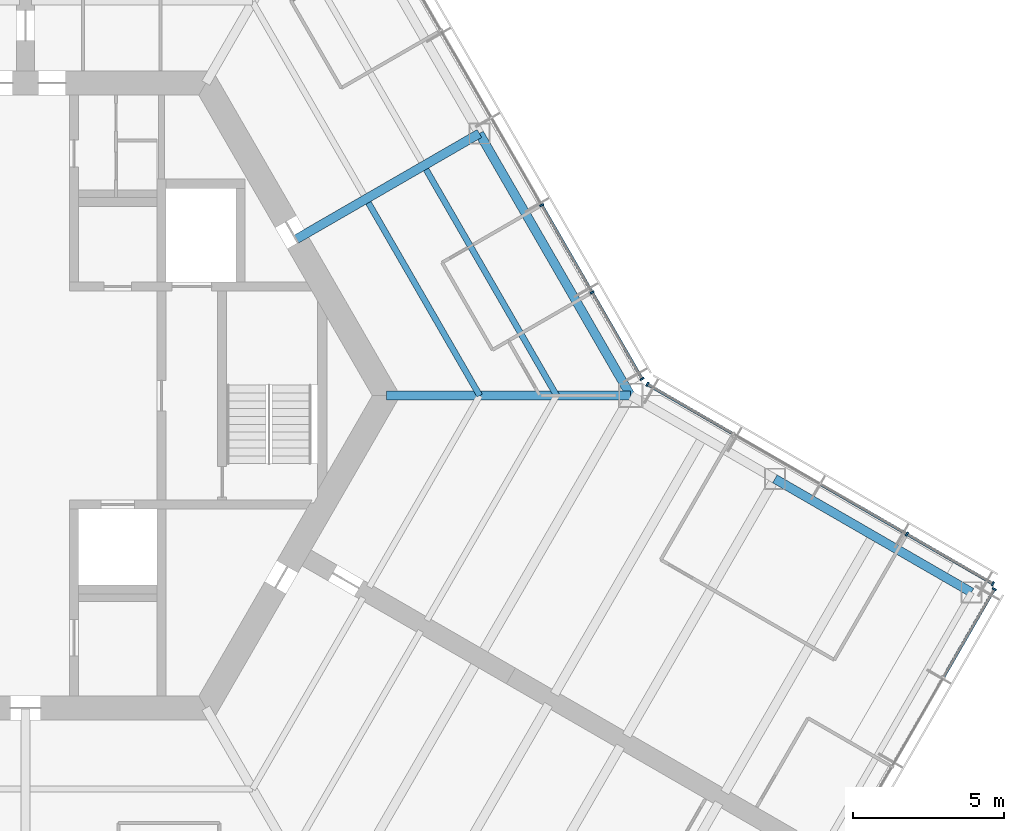
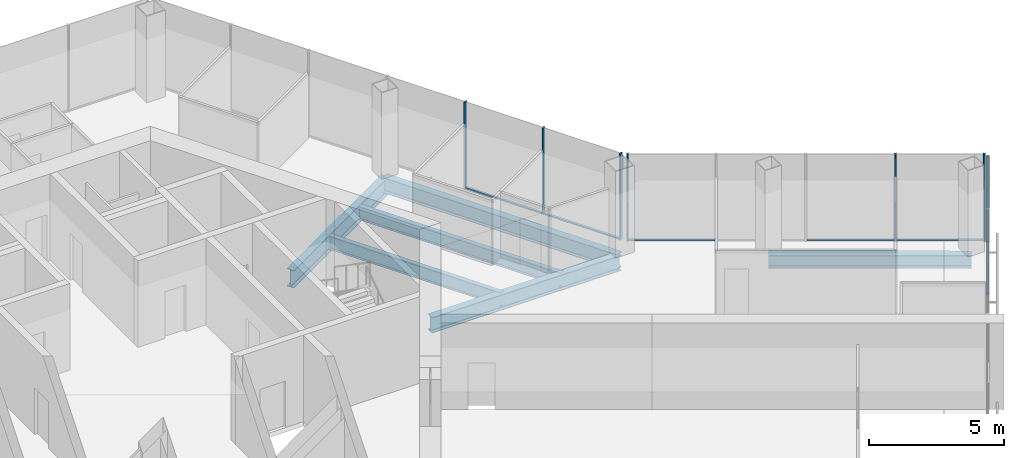
# One storey, part 5 of 16: 13 members, 6 beams, 3 elements without a shape of their own.
"""IFC4 building model written with IfcOpenShell, lengths in metres."""

from ifc_helpers import new_model, si_unit, direction, frame, origin, origin_2d, place, context, subcontext, project, spatial, rectangle, i_section, extrude, material, material_profile, profile_set, type_object, element, aggregate, save


model = new_model("IFC4")

# Units and contexts
model_context = context("Model", 3, precision=1e-05, world=origin(), true_north=direction((0.0, 1.0)))
body_context = subcontext(model_context, "Body", "Model", "MODEL_VIEW")
ifc_project = project(units=[si_unit("LENGTHUNIT", "METRE"), si_unit("AREAUNIT", "SQUARE_METRE"), si_unit("VOLUMEUNIT", "CUBIC_METRE"), si_unit("PLANEANGLEUNIT", "RADIAN"), si_unit("MASSUNIT", "GRAM", prefix="KILO")], contexts=[model_context])

# Site, building, storey
site_placement = place(None, origin())
site = spatial("IfcSite", under=ifc_project, at=site_placement, CompositionType="ELEMENT")
building_placement = place(site_placement, origin())
building = spatial("IfcBuilding", under=site, at=building_placement, Name="Kasaneha Research Tower", CompositionType="ELEMENT")
storey_placement = place(building_placement, frame((0.0, 0.0, 255.699951171875)))
storey = spatial("IfcBuildingStorey", under=building, at=storey_placement, Name="L64", CompositionType="ELEMENT", Elevation=255.699951171875)

# Beams
ifc_material_1 = material(Name="Steel SN490B", Category="steel")
ifc_material_profile_1 = material_profile(ifc_material_1, i_section(OverallWidth=0.199951171875, OverallDepth=0.60009765625, WebThickness=0.010986328125, FlangeThickness=0.01708984375, FilletRadius=0.012939453125, at=origin_2d()), Name="H-600x200x11x17")
ifc_profile_set_1 = profile_set([ifc_material_profile_1], Name="Steel SN490B")
beam_type_1 = type_object("IfcBeamType", Name="B1-3 secondary beam H-600x200x11x17", PredefinedType="JOIST", material=ifc_profile_set_1)
beam_1_placement = place(storey_placement, frame((15.010986328125, 0.0, -0.449951171875), z_axis=(-0.499994443168, 0.866028611999, 0.0), x_axis=(-0.866028611999, -0.499994443168, 0.0)))
element("IfcBeam", 1, at=beam_1_placement, inside=storey, type_object=beam_type_1, Name="Secondary beam RS030L1 L64", PredefinedType="JOIST", context=body_context, shape_type="SweptSolid", body=[
    extrude(i_section(OverallWidth=0.199951171875, OverallDepth=0.60009765625, WebThickness=0.010986328125, FlangeThickness=0.01708984375, FilletRadius=0.012939453125, at=origin_2d()), origin(), (0.0, 0.0, 1.0), 7.35546875),
])
beam_2_placement = place(storey_placement, frame((17.551513671875, 0.0, -0.449951171875), z_axis=(-0.5000050195, 0.866022505755, 0.0), x_axis=(-0.866022505755, -0.5000050195, 0.0)))
element("IfcBeam", 2, at=beam_2_placement, inside=storey, type_object=beam_type_1, Name="Secondary beam RS030L2 L64", PredefinedType="JOIST", context=body_context, shape_type="SweptSolid", body=[
    extrude(i_section(OverallWidth=0.199951171875, OverallDepth=0.60009765625, WebThickness=0.010986328125, FlangeThickness=0.01708984375, FilletRadius=0.012939453125, at=origin_2d()), origin(), (0.0, 0.0, 1.0), 8.6259765625),
])

# Curtain wall, members
ifc_material_2 = material(Name="Glass and aluminium", Category="aluminium")
curtain_wall_type = type_object("IfcCurtainWallType", Name="High-rise office curtain wall", PredefinedType="USERDEFINED", material=ifc_material_2)
curtain_wall_1_placement = place(storey_placement, origin())
curtain_wall_1 = element("IfcCurtainWall", 3, at=curtain_wall_1_placement, inside=storey, type_object=curtain_wall_type, Name="CW-O3 L64 run 01a", ObjectType="UNITISED CURTAIN WALL", PredefinedType="USERDEFINED")
ifc_material_3 = material(Name="Aluminium 6063-T6", Category="aluminium")
ifc_material_profile_2 = material_profile(ifc_material_3, rectangle(XDim=0.06005859375, YDim=0.139892578125, at=origin_2d()), Name="CW-O3 mullion 60x140")
ifc_profile_set_2 = profile_set([ifc_material_profile_2], Name="Aluminium 6063-T6")
member_type_1 = type_object("IfcMemberType", Name="CW-O3 mullion", PredefinedType="MULLION", material=ifc_profile_set_2)
member_1_placement = place(storey_placement, frame((20.374267578125, 0.5517578125, 0.0), z_axis=(0.0, 0.0, 1.0), x_axis=(-0.499999979232, 0.866025415775, 0.0)))
member_1 = element("IfcMember", 4, at=member_1_placement, type_object=member_type_1, Name="CW-O3 mullion 1", PredefinedType="MULLION", context=body_context, shape_type="SweptSolid", body=[
    extrude(rectangle(XDim=0.06005859375, YDim=0.139892578125, at=origin_2d()), origin(), (0.0, 0.0, 1.0), 3.900146484375),
])
member_2_placement = place(storey_placement, frame((18.723876953125, 3.410400390625, 0.0), z_axis=(0.0, 0.0, 1.0), x_axis=(-0.499999979232, 0.866025415775, 0.0)))
member_2 = element("IfcMember", 5, at=member_2_placement, type_object=member_type_1, Name="CW-O3 mullion 2", PredefinedType="MULLION", context=body_context, shape_type="SweptSolid", body=[
    extrude(rectangle(XDim=0.06005859375, YDim=0.139892578125, at=origin_2d()), origin(), (0.0, 0.0, 1.0), 3.900146484375),
])
member_3_placement = place(storey_placement, frame((17.058349609375, 6.295166015625, 0.0), z_axis=(0.0, 0.0, 1.0), x_axis=(-0.499999979232, 0.866025415775, 0.0)))
member_3 = element("IfcMember", 6, at=member_3_placement, type_object=member_type_1, Name="CW-O3 mullion 3", PredefinedType="MULLION", context=body_context, shape_type="SweptSolid", body=[
    extrude(rectangle(XDim=0.06005859375, YDim=0.139892578125, at=origin_2d()), origin(), (0.0, 0.0, 1.0), 3.900146484375),
])

# Curtain wall, member
curtain_wall_2_placement = place(storey_placement, origin())
curtain_wall_2 = element("IfcCurtainWall", 7, at=curtain_wall_2_placement, inside=storey, type_object=curtain_wall_type, Name="CW-O3 L64 run 08a", ObjectType="UNITISED CURTAIN WALL", PredefinedType="USERDEFINED")
member_4_placement = place(storey_placement, frame((32.012939453125, -6.39306640625, 0.0), z_axis=(0.0, 0.0, 1.0), x_axis=(0.500000011442, 0.866025397178, 0.0)))
member_4 = element("IfcMember", 8, at=member_4_placement, type_object=member_type_1, Name="CW-O3 mullion 4", PredefinedType="MULLION", context=body_context, shape_type="SweptSolid", body=[
    extrude(rectangle(XDim=0.06005859375, YDim=0.139892578125, at=origin_2d()), origin(), (0.0, 0.0, 1.0), 3.900146484375),
])

# Curtain wall, members
curtain_wall_3_placement = place(storey_placement, origin())
curtain_wall_3 = element("IfcCurtainWall", 9, at=curtain_wall_3_placement, inside=storey, type_object=curtain_wall_type, Name="CW-O3 L64 run 09a", ObjectType="UNITISED CURTAIN WALL", PredefinedType="USERDEFINED")
member_5_placement = place(storey_placement, frame((31.96533203125, -6.21533203125, 0.0), z_axis=(0.0, 0.0, 1.0), x_axis=(-0.866025411464, 0.499999986699, 0.0)))
member_5 = element("IfcMember", 10, at=member_5_placement, type_object=member_type_1, Name="CW-O3 mullion 1", PredefinedType="MULLION", context=body_context, shape_type="SweptSolid", body=[
    extrude(rectangle(XDim=0.06005859375, YDim=0.139892578125, at=origin_2d()), origin(), (0.0, 0.0, 1.0), 3.900146484375),
])
member_6_placement = place(storey_placement, frame((29.125, -4.575439453125, 0.0), z_axis=(0.0, 0.0, 1.0), x_axis=(-0.866025411464, 0.499999986699, 0.0)))
member_6 = element("IfcMember", 11, at=member_6_placement, type_object=member_type_1, Name="CW-O3 mullion 2", PredefinedType="MULLION", context=body_context, shape_type="SweptSolid", body=[
    extrude(rectangle(XDim=0.06005859375, YDim=0.139892578125, at=origin_2d()), origin(), (0.0, 0.0, 1.0), 3.900146484375),
])
member_7_placement = place(storey_placement, frame((20.5517578125, 0.374267578125, 0.0), z_axis=(0.0, 0.0, 1.0), x_axis=(-0.866025411464, 0.499999986699, 0.0)))
member_7 = element("IfcMember", 12, at=member_7_placement, type_object=member_type_1, Name="CW-O3 mullion 5", PredefinedType="MULLION", context=body_context, shape_type="SweptSolid", body=[
    extrude(rectangle(XDim=0.06005859375, YDim=0.139892578125, at=origin_2d()), origin(), (0.0, 0.0, 1.0), 3.900146484375),
])

# Member
ifc_material_4 = material(Name="Aluminium 6063-T6", Category="aluminium")
ifc_material_profile_3 = material_profile(ifc_material_4, rectangle(XDim=0.10009765625, YDim=0.06005859375, at=origin_2d()), Name="CW-O3 transom 100x60")
ifc_profile_set_3 = profile_set([ifc_material_profile_3], Name="Aluminium 6063-T6")
member_type_2 = type_object("IfcMemberType", Name="CW-O3 transom", PredefinedType="USERDEFINED", material=ifc_profile_set_3)
member_8_placement = place(storey_placement, frame((20.359130859375, 0.577880859375, 0.030029296875), z_axis=(-0.499987643696, 0.866032537582, 0.0), x_axis=(-0.866032537582, -0.499987643696, 0.0)))
member_8 = element("IfcMember", 13, at=member_8_placement, type_object=member_type_2, Name="CW-O3 transom 1", ObjectType="TRANSOM", PredefinedType="USERDEFINED", context=body_context, shape_type="SweptSolid", body=[
    extrude(rectangle(XDim=0.10009765625, YDim=0.06005859375, at=origin_2d()), origin(), (0.0, 0.0, 1.0), 3.24072265625),
])

member_9_placement = place(storey_placement, frame((18.708740234375, 3.4365234375, 0.030029296875), z_axis=(-0.500000270186, 0.866025247793, 0.0), x_axis=(-0.866025247793, -0.500000270186, 0.0)))
member_9 = element("IfcMember", 14, at=member_9_placement, type_object=member_type_2, Name="CW-O3 transom 2", ObjectType="TRANSOM", PredefinedType="USERDEFINED", context=body_context, shape_type="SweptSolid", body=[
    extrude(rectangle(XDim=0.10009765625, YDim=0.06005859375, at=origin_2d()), origin(), (0.0, 0.0, 1.0), 3.27099609375),
])

aggregate(curtain_wall_1, [member_1, member_2, member_3, member_8, member_9])

member_10_placement = place(storey_placement, frame((30.343017578125, -9.285400390625, 0.030029296875), z_axis=(0.500018282537, 0.866014848099, 0.0), x_axis=(-0.866014848099, 0.500018282537, 0.0)))
member_10 = element("IfcMember", 15, at=member_10_placement, type_object=member_type_2, Name="CW-O3 transom 3", ObjectType="TRANSOM", PredefinedType="USERDEFINED", context=body_context, shape_type="SweptSolid", body=[
    extrude(rectangle(XDim=0.10009765625, YDim=0.06005859375, at=origin_2d()), origin(), (0.0, 0.0, 1.0), 3.31005859375),
])

aggregate(curtain_wall_2, [member_4, member_10])

member_11_placement = place(storey_placement, frame((31.939453125, -6.200439453125, 0.030029296875), z_axis=(-0.866041647767, 0.499971863542, 0.0), x_axis=(-0.499971863542, -0.866041647767, 0.0)))
member_11 = element("IfcMember", 16, at=member_11_placement, type_object=member_type_2, Name="CW-O3 transom 1", ObjectType="TRANSOM", PredefinedType="USERDEFINED", context=body_context, shape_type="SweptSolid", body=[
    extrude(rectangle(XDim=0.10009765625, YDim=0.06005859375, at=origin_2d()), origin(), (0.0, 0.0, 1.0), 3.219970703125),
])

member_12_placement = place(storey_placement, frame((29.098876953125, -4.560546875, 0.030029296875), z_axis=(-0.86599666273, 0.500049777664, 0.0), x_axis=(-0.500049777664, -0.86599666273, 0.0)))
member_12 = element("IfcMember", 17, at=member_12_placement, type_object=member_type_2, Name="CW-O3 transom 2", ObjectType="TRANSOM", PredefinedType="USERDEFINED", context=body_context, shape_type="SweptSolid", body=[
    extrude(rectangle(XDim=0.10009765625, YDim=0.06005859375, at=origin_2d()), origin(), (0.0, 0.0, 1.0), 3.249755859375),
])

member_13_placement = place(storey_placement, frame((23.3662109375, -1.250732421875, 0.030029296875), z_axis=(-0.866022692473, 0.500004696101, 0.0), x_axis=(-0.500004696101, -0.866022692473, 0.0)))
member_13 = element("IfcMember", 18, at=member_13_placement, type_object=member_type_2, Name="CW-O3 transom 4", ObjectType="TRANSOM", PredefinedType="USERDEFINED", context=body_context, shape_type="SweptSolid", body=[
    extrude(rectangle(XDim=0.10009765625, YDim=0.06005859375, at=origin_2d()), origin(), (0.0, 0.0, 1.0), 3.2197265625),
])

aggregate(curtain_wall_3, [member_5, member_6, member_7, member_11, member_12, member_13])

# Beams
ifc_material_5 = material(Name="Steel SN490B", Category="steel")
ifc_material_profile_4 = material_profile(ifc_material_5, i_section(OverallWidth=0.300048828125, OverallDepth=0.699951171875, WebThickness=0.012939453125, FlangeThickness=0.02392578125, FilletRadius=0.01806640625, at=origin_2d()), Name="H-700x300x13x24")
ifc_profile_set_4 = profile_set([ifc_material_profile_4], Name="Steel SN490B")
beam_type_2 = type_object("IfcBeamType", Name="G1-3 radial girder H-700x300x13x24", PredefinedType="BEAM", material=ifc_profile_set_4)
beam_3_placement = place(storey_placement, frame((11.92236328125, 0.0, -0.5), z_axis=(1.0, 0.0, 0.0), x_axis=(0.0, 1.0, 0.0)))
element("IfcBeam", 19, at=beam_3_placement, inside=storey, type_object=beam_type_2, Name="Radial girder RV000 L64", PredefinedType="BEAM", context=body_context, shape_type="SweptSolid", body=[
    extrude(i_section(OverallWidth=0.300048828125, OverallDepth=0.699951171875, WebThickness=0.012939453125, FlangeThickness=0.02392578125, FilletRadius=0.01806640625, at=origin_2d()), origin(), (0.0, 0.0, 1.0), 8.07763671875),
])
ifc_material_6 = material(Name="Steel SN490B", Category="steel")
ifc_material_profile_5 = material_profile(ifc_material_6, i_section(OverallWidth=0.300048828125, OverallDepth=0.800048828125, WebThickness=0.013916015625, FlangeThickness=0.02587890625, FilletRadius=0.01806640625, at=origin_2d()), Name="H-800x300x14x26")
ifc_profile_set_5 = profile_set([ifc_material_profile_5], Name="Steel SN490B")
beam_type_3 = type_object("IfcBeamType", Name="G2-3 radial girder H-800x300x14x26", PredefinedType="BEAM", material=ifc_profile_set_5)
beam_4_placement = place(storey_placement, frame((8.941650390625, 5.16259765625, -0.550048828125), z_axis=(0.866039713508, 0.499975214012, 0.0), x_axis=(-0.499975214012, 0.866039713508, 0.0)))
element("IfcBeam", 20, at=beam_4_placement, inside=storey, type_object=beam_type_3, Name="Radial girder RM030 L64", PredefinedType="BEAM", context=body_context, shape_type="SweptSolid", body=[
    extrude(i_section(OverallWidth=0.300048828125, OverallDepth=0.800048828125, WebThickness=0.013916015625, FlangeThickness=0.02587890625, FilletRadius=0.01806640625, at=origin_2d()), origin(), (0.0, 0.0, 1.0), 6.995361328125),
])
ifc_material_7 = material(Name="Steel SN490B", Category="steel")
ifc_material_profile_6 = material_profile(ifc_material_7, i_section(OverallWidth=0.300048828125, OverallDepth=0.69189453125, WebThickness=0.012939453125, FlangeThickness=0.02001953125, FilletRadius=0.01806640625, at=origin_2d()), Name="H-692x300x13x20")
ifc_profile_set_6 = profile_set([ifc_material_profile_6], Name="Steel SN490B")
beam_type_4 = type_object("IfcBeamType", Name="SB1-3 spandrel beam H-692x300x13x20", PredefinedType="SPANDREL", material=ifc_profile_set_6)
beam_5_placement = place(storey_placement, frame((20.0, 0.0, -0.495849609375), z_axis=(-0.500004234368, 0.866022959057, 0.0), x_axis=(-0.866022959057, -0.500004234368, 0.0)))
element("IfcBeam", 21, at=beam_5_placement, inside=storey, type_object=beam_type_4, Name="Spandrel beam SR030L L64", PredefinedType="SPANDREL", context=body_context, shape_type="SweptSolid", body=[
    extrude(i_section(OverallWidth=0.300048828125, OverallDepth=0.69189453125, WebThickness=0.012939453125, FlangeThickness=0.02001953125, FilletRadius=0.01806640625, at=origin_2d()), origin(), (0.0, 0.0, 1.0), 10.0),
])
ifc_material_8 = material(Name="Steel SN490B", Category="steel")
ifc_material_profile_7 = material_profile(ifc_material_8, i_section(OverallWidth=0.300048828125, OverallDepth=0.58203125, WebThickness=0.011962890625, FlangeThickness=0.01708984375, FilletRadius=0.012939453125, at=origin_2d()), Name="H-582x300x12x17")
ifc_profile_set_7 = profile_set([ifc_material_profile_7], Name="Steel SN490B")
beam_type_5 = type_object("IfcBeamType", Name="SB2-3 spandrel beam H-582x300x12x17", PredefinedType="SPANDREL", material=ifc_profile_set_7)
beam_6_placement = place(storey_placement, frame((24.76318359375, -2.75, -0.44091796875), z_axis=(0.866022959057, -0.500004234368, 0.0), x_axis=(0.500004234368, 0.866022959057, 0.0)))
element("IfcBeam", 22, at=beam_6_placement, inside=storey, type_object=beam_type_5, Name="Spandrel beam WSCN2 L64", PredefinedType="SPANDREL", context=body_context, shape_type="SweptSolid", body=[
    extrude(i_section(OverallWidth=0.300048828125, OverallDepth=0.58203125, WebThickness=0.011962890625, FlangeThickness=0.01708984375, FilletRadius=0.012939453125, at=origin_2d()), origin(), (0.0, 0.0, 1.0), 7.5),
])

save(model, "model.ifc")
